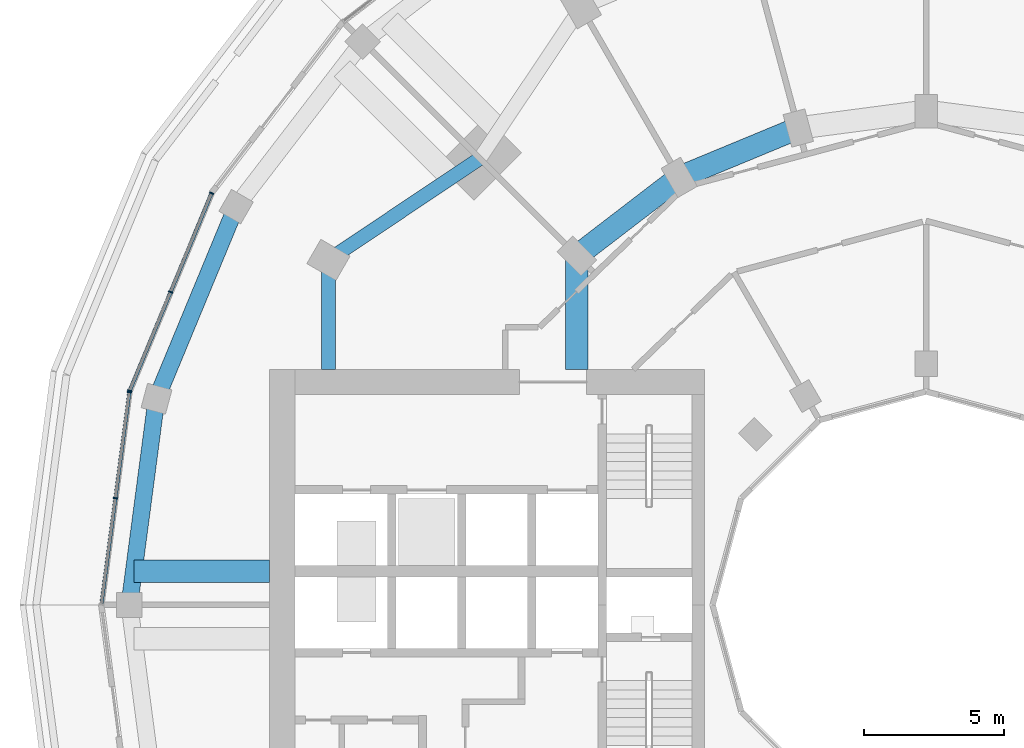
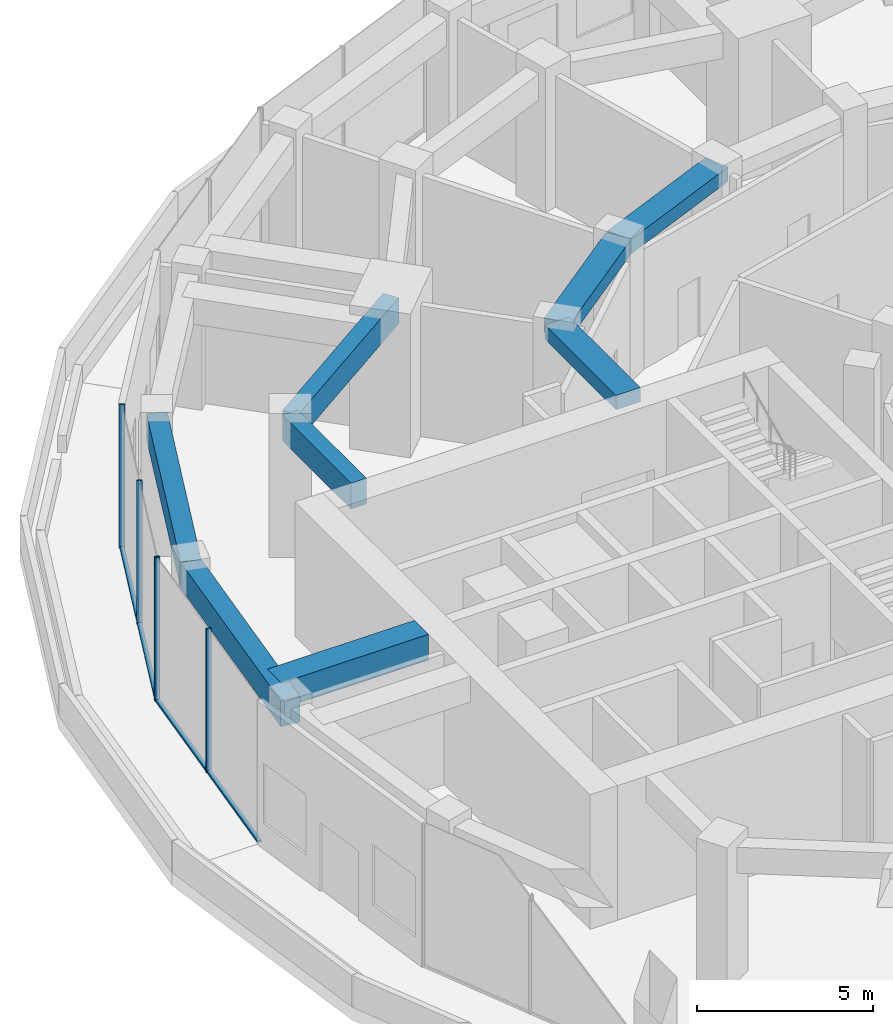
# One storey, part 6 of 19: 9 members, 8 beams, 2 elements without a shape of their own.
"""IFC4 building model written with IfcOpenShell, lengths in metres."""

from ifc_helpers import new_model, si_unit, direction, frame, origin, origin_2d, place, context, subcontext, project, spatial, rectangle, extrude, material, layer, layer_set, material_profile, profile_set, type_object, element, aggregate, save


model = new_model("IFC4")

# Units and contexts
model_context = context("Model", 3, precision=1e-05, world=origin(), true_north=direction((0.0, 1.0)))
body_context = subcontext(model_context, "Body", "Model", "MODEL_VIEW")
ifc_project = project(units=[si_unit("LENGTHUNIT", "METRE"), si_unit("AREAUNIT", "SQUARE_METRE"), si_unit("VOLUMEUNIT", "CUBIC_METRE"), si_unit("PLANEANGLEUNIT", "RADIAN"), si_unit("MASSUNIT", "GRAM", prefix="KILO")], contexts=[model_context])

# Site, building, storey
site_placement = place(None, origin())
site = spatial("IfcSite", under=ifc_project, at=site_placement, CompositionType="ELEMENT")
building_placement = place(site_placement, origin())
building = spatial("IfcBuilding", under=site, at=building_placement, Name="Torre Brocal", CompositionType="ELEMENT")
storey_placement = place(building_placement, frame((0.0, 0.0, 23.800048828125)))
storey = spatial("IfcBuildingStorey", under=building, at=storey_placement, Name="L04", CompositionType="ELEMENT", Elevation=23.800048828125)

# Curtain wall, members
ifc_material_1 = material(Name="Aluminium and glass", Category="aluminium")
ifc_layer = layer(ifc_material_1, 0.199951171875)
ifc_layer_set = layer_set([ifc_layer], Name="Aluminium and glass")
curtain_wall_type = type_object("IfcCurtainWallType", Name="CW-6 CURTAIN WALL 5000 HIGH", PredefinedType="NOTDEFINED", material=ifc_layer_set)
curtain_wall_1_placement = place(storey_placement, origin())
curtain_wall_1 = element("IfcCurtainWall", 1, at=curtain_wall_1_placement, inside=storey, type_object=curtain_wall_type, Name="CW-6 RUN 11", PredefinedType="NOTDEFINED")
ifc_material_2 = material(Name="Aluminium, dark anodised", Category="aluminium")
ifc_material_profile_1 = material_profile(ifc_material_2, rectangle(XDim=0.159912109375, YDim=0.050048828125, at=origin_2d()), Name="CW-6 MULLION 50X160")
ifc_profile_set_1 = profile_set([ifc_material_profile_1], Name="Aluminium, dark anodised")
member_type_1 = type_object("IfcMemberType", Name="CW-6 MULLION 50X160", PredefinedType="MULLION", material=ifc_profile_set_1)
member_1_placement = place(storey_placement, frame((54.530029296875, 89.676513671875, 0.0), z_axis=(0.0, 0.0, 1.0), x_axis=(0.923879532511, -0.382683432365, 0.0)))
member_1 = element("IfcMember", 2, at=member_1_placement, type_object=member_type_1, Name="CW6-3 mullion 1", PredefinedType="MULLION", context=body_context, shape_type="SweptSolid", body=[
    extrude(rectangle(XDim=0.159912109375, YDim=0.050048828125, at=origin_2d()), origin(), (0.0, 0.0, 1.0), 5.0),
])
member_2_placement = place(storey_placement, frame((53.071044921875, 86.154296875, 0.0), z_axis=(0.0, 0.0, 1.0), x_axis=(0.923879532511, -0.382683432365, 0.0)))
member_2 = element("IfcMember", 3, at=member_2_placement, type_object=member_type_1, Name="CW6-3 mullion 2", PredefinedType="MULLION", context=body_context, shape_type="SweptSolid", body=[
    extrude(rectangle(XDim=0.159912109375, YDim=0.050048828125, at=origin_2d()), origin(), (0.0, 0.0, 1.0), 5.0),
])
member_3_placement = place(storey_placement, frame((51.612060546875, 82.632080078125, 0.0), z_axis=(0.0, 0.0, 1.0), x_axis=(0.923879532511, -0.382683432365, 0.0)))
member_3 = element("IfcMember", 4, at=member_3_placement, type_object=member_type_1, Name="CW6-3 mullion 3", PredefinedType="MULLION", context=body_context, shape_type="SweptSolid", body=[
    extrude(rectangle(XDim=0.159912109375, YDim=0.050048828125, at=origin_2d()), origin(), (0.0, 0.0, 1.0), 5.0),
])

curtain_wall_2_placement = place(storey_placement, origin())
curtain_wall_2 = element("IfcCurtainWall", 5, at=curtain_wall_2_placement, inside=storey, type_object=curtain_wall_type, Name="CW-6 RUN 12", PredefinedType="NOTDEFINED")
member_4_placement = place(storey_placement, frame((51.599365234375, 82.584228515625, 0.0), z_axis=(0.0, 0.0, 1.0), x_axis=(0.991444861367, -0.130526192272, 0.0)))
member_4 = element("IfcMember", 6, at=member_4_placement, type_object=member_type_1, Name="CW6-3 mullion 1", PredefinedType="MULLION", context=body_context, shape_type="SweptSolid", body=[
    extrude(rectangle(XDim=0.159912109375, YDim=0.050048828125, at=origin_2d()), origin(), (0.0, 0.0, 1.0), 5.0),
])
member_5_placement = place(storey_placement, frame((51.101806640625, 78.804443359375, 0.0), z_axis=(0.0, 0.0, 1.0), x_axis=(0.991444861367, -0.130526192272, 0.0)))
member_5 = element("IfcMember", 7, at=member_5_placement, type_object=member_type_1, Name="CW6-3 mullion 2", PredefinedType="MULLION", context=body_context, shape_type="SweptSolid", body=[
    extrude(rectangle(XDim=0.159912109375, YDim=0.050048828125, at=origin_2d()), origin(), (0.0, 0.0, 1.0), 5.0),
])

# Member
ifc_material_3 = material(Name="Aluminium, dark anodised", Category="aluminium")
ifc_material_profile_2 = material_profile(ifc_material_3, rectangle(XDim=0.1298828125, YDim=0.070068359375, at=origin_2d()), Name="CW-6 TRANSOM 130X70")
ifc_profile_set_2 = profile_set([ifc_material_profile_2], Name="Aluminium, dark anodised")
member_type_2 = type_object("IfcMemberType", Name="CW-6 TRANSOM 130X70", PredefinedType="USERDEFINED", material=ifc_profile_set_2)
member_6_placement = place(storey_placement, frame((54.5205078125, 89.6533203125, 0.034912109375), z_axis=(-0.382730041872, -0.923860224844, 0.0), x_axis=(0.923860224844, -0.382730041872, 0.0)))
member_6 = element("IfcMember", 8, at=member_6_placement, type_object=member_type_2, Name="CW6-3 transom 1.1", ObjectType="TRANSOM", PredefinedType="USERDEFINED", context=body_context, shape_type="SweptSolid", body=[
    extrude(rectangle(XDim=0.1298828125, YDim=0.070068359375, at=origin_2d()), origin(), (0.0, 0.0, 1.0), 3.76220703125),
])

member_7_placement = place(storey_placement, frame((53.0615234375, 86.131103515625, 0.034912109375), z_axis=(-0.382674653767, -0.923883168677, 0.0), x_axis=(0.923883168677, -0.382674653767, 0.0)))
member_7 = element("IfcMember", 9, at=member_7_placement, type_object=member_type_2, Name="CW6-3 transom 2.1", ObjectType="TRANSOM", PredefinedType="USERDEFINED", context=body_context, shape_type="SweptSolid", body=[
    extrude(rectangle(XDim=0.1298828125, YDim=0.070068359375, at=origin_2d()), origin(), (0.0, 0.0, 1.0), 3.76220703125),
])

aggregate(curtain_wall_1, [member_1, member_2, member_3, member_6, member_7])

member_8_placement = place(storey_placement, frame((51.59619140625, 82.5595703125, 0.034912109375), z_axis=(-0.13055690328, -0.991440817702, 0.0), x_axis=(0.991440817702, -0.13055690328, 0.0)))
member_8 = element("IfcMember", 10, at=member_8_placement, type_object=member_type_2, Name="CW6-3 transom 1.1", ObjectType="TRANSOM", PredefinedType="USERDEFINED", context=body_context, shape_type="SweptSolid", body=[
    extrude(rectangle(XDim=0.1298828125, YDim=0.070068359375, at=origin_2d()), origin(), (0.0, 0.0, 1.0), 3.762451171875),
])

member_9_placement = place(storey_placement, frame((51.098388671875, 78.77978515625, 0.034912109375), z_axis=(-0.130493119395, -0.991449214933, 0.0), x_axis=(0.991449214933, -0.130493119395, 0.0)))
member_9 = element("IfcMember", 11, at=member_9_placement, type_object=member_type_2, Name="CW6-3 transom 2.1", ObjectType="TRANSOM", PredefinedType="USERDEFINED", context=body_context, shape_type="SweptSolid", body=[
    extrude(rectangle(XDim=0.1298828125, YDim=0.070068359375, at=origin_2d()), origin(), (0.0, 0.0, 1.0), 3.762451171875),
])

aggregate(curtain_wall_2, [member_4, member_5, member_8, member_9])

# Beams
ifc_material_4 = material(Name="Concrete C50", Category="concrete")
ifc_material_profile_3 = material_profile(ifc_material_4, rectangle(XDim=0.60009765625, YDim=0.89990234375, at=origin_2d()), Name="RC 600X900")
ifc_profile_set_3 = profile_set([ifc_material_profile_3], Name="Concrete C50")
beam_type_1 = type_object("IfcBeamType", Name="RC BEAM 600X900 C50 TOP 4680", PredefinedType="BEAM", material=ifc_profile_set_3)
beam_1_placement = place(storey_placement, frame((55.40478515625, 89.199951171875, 4.22998046875), z_axis=(-0.382678493716, -0.923881578151, 0.0), x_axis=(0.923881578151, -0.382678493716, 0.0)))
element("IfcBeam", 12, at=beam_1_placement, inside=storey, type_object=beam_type_1, Name="Beam BT-16", PredefinedType="BEAM", context=body_context, shape_type="SweptSolid", body=[
    extrude(rectangle(XDim=0.60009765625, YDim=0.89990234375, at=origin_2d()), origin(), (0.0, 0.0, 1.0), 7.4140625),
])
beam_2_placement = place(storey_placement, frame((52.567626953125, 82.350341796875, 4.22998046875), z_axis=(-0.130504771669, -0.991447681208, 0.0), x_axis=(0.991447681208, -0.130504771669, 0.0)))
element("IfcBeam", 13, at=beam_2_placement, inside=storey, type_object=beam_type_1, Name="Beam BT-16", PredefinedType="BEAM", context=body_context, shape_type="SweptSolid", body=[
    extrude(rectangle(XDim=0.60009765625, YDim=0.89990234375, at=origin_2d()), origin(), (0.0, 0.0, 1.0), 7.413818359375),
])
ifc_material_5 = material(Name="Concrete C50", Category="concrete")
ifc_material_profile_4 = material_profile(ifc_material_5, rectangle(XDim=0.800048828125, YDim=0.5, at=origin_2d()), Name="RC 800X500")
ifc_profile_set_4 = profile_set([ifc_material_profile_4], Name="Concrete C50")
beam_type_2 = type_object("IfcBeamType", Name="RC BEAM 800X500 C50 TOP 4680", PredefinedType="BEAM", material=ifc_profile_set_4)
beam_3_placement = place(storey_placement, frame((75.44482421875, 92.000244140625, 4.429931640625), z_axis=(-0.923878240166, -0.382686552348, 0.0), x_axis=(0.382686552348, -0.923878240166, 0.0)))
element("IfcBeam", 14, at=beam_3_placement, inside=storey, type_object=beam_type_2, Name="Beam BT-17", PredefinedType="BEAM", context=body_context, shape_type="SweptSolid", body=[
    extrude(rectangle(XDim=0.800048828125, YDim=0.5, at=origin_2d()), origin(), (0.0, 0.0, 1.0), 4.5947265625),
])
beam_4_placement = place(storey_placement, frame((71.199951171875, 90.241943359375, 4.429931640625), z_axis=(-0.793358265959, -0.6087550097, 0.0), x_axis=(0.6087550097, -0.793358265959, 0.0)))
element("IfcBeam", 15, at=beam_4_placement, inside=storey, type_object=beam_type_2, Name="Beam BT-17", PredefinedType="BEAM", context=body_context, shape_type="SweptSolid", body=[
    extrude(rectangle(XDim=0.800048828125, YDim=0.5, at=origin_2d()), origin(), (0.0, 0.0, 1.0), 4.594482421875),
])
beam_5_placement = place(storey_placement, frame((67.554931640625, 87.445068359375, 4.429931640625), z_axis=(0.0, -1.0, 0.0), x_axis=(1.0, 0.0, 0.0)))
element("IfcBeam", 16, at=beam_5_placement, inside=storey, type_object=beam_type_2, Name="Beam BT-17", PredefinedType="BEAM", context=body_context, shape_type="SweptSolid", body=[
    extrude(rectangle(XDim=0.800048828125, YDim=0.5, at=origin_2d()), origin(), (0.0, 0.0, 1.0), 4.045166015625),
])
ifc_material_6 = material(Name="Concrete C50", Category="concrete")
ifc_material_profile_5 = material_profile(ifc_material_6, rectangle(XDim=0.800048828125, YDim=0.89990234375, at=origin_2d()), Name="RC 800X900")
ifc_profile_set_5 = profile_set([ifc_material_profile_5], Name="Concrete C50")
beam_type_3 = type_object("IfcBeamType", Name="RC BEAM 800X900 C50 TOP 4680", PredefinedType="BEAM", material=ifc_profile_set_5)
beam_6_placement = place(storey_placement, frame((56.60009765625, 76.199951171875, 4.22998046875), z_axis=(-1.0, 0.0, 0.0), x_axis=(0.0, -1.0, 0.0)))
element("IfcBeam", 17, at=beam_6_placement, inside=storey, type_object=beam_type_3, Name="Beam BT-54", PredefinedType="BEAM", context=body_context, shape_type="SweptSolid", body=[
    extrude(rectangle(XDim=0.800048828125, YDim=0.89990234375, at=origin_2d()), origin(), (0.0, 0.0, 1.0), 4.842041015625),
])
ifc_material_7 = material(Name="Concrete C50", Category="concrete")
ifc_material_profile_6 = material_profile(ifc_material_7, rectangle(XDim=0.5, YDim=0.89990234375, at=origin_2d()), Name="RC 500X900")
ifc_profile_set_6 = profile_set([ifc_material_profile_6], Name="Concrete C50")
beam_type_4 = type_object("IfcBeamType", Name="RC SPANDREL BEAM 500X900 C50 TOP 4680", PredefinedType="SPANDREL", material=ifc_profile_set_6)
beam_7_placement = place(storey_placement, frame((64.090087890625, 90.909912109375, 4.22998046875), z_axis=(-0.831076844476, -0.556157602282, 0.0), x_axis=(0.556157602282, -0.831076844476, 0.0)))
element("IfcBeam", 18, at=beam_7_placement, inside=storey, type_object=beam_type_4, Name="Beam BT-18", PredefinedType="SPANDREL", context=body_context, shape_type="SweptSolid", body=[
    extrude(rectangle(XDim=0.5, YDim=0.89990234375, at=origin_2d()), origin(), (0.0, 0.0, 1.0), 6.49072265625),
])
beam_8_placement = place(storey_placement, frame((58.69580078125, 87.300048828125, 4.22998046875), z_axis=(0.0, -1.0, 0.0), x_axis=(1.0, 0.0, 0.0)))
element("IfcBeam", 19, at=beam_8_placement, inside=storey, type_object=beam_type_4, Name="Beam BT-18", PredefinedType="SPANDREL", context=body_context, shape_type="SweptSolid", body=[
    extrude(rectangle(XDim=0.5, YDim=0.89990234375, at=origin_2d()), origin(), (0.0, 0.0, 1.0), 3.900146484375),
])

save(model, "model.ifc")
